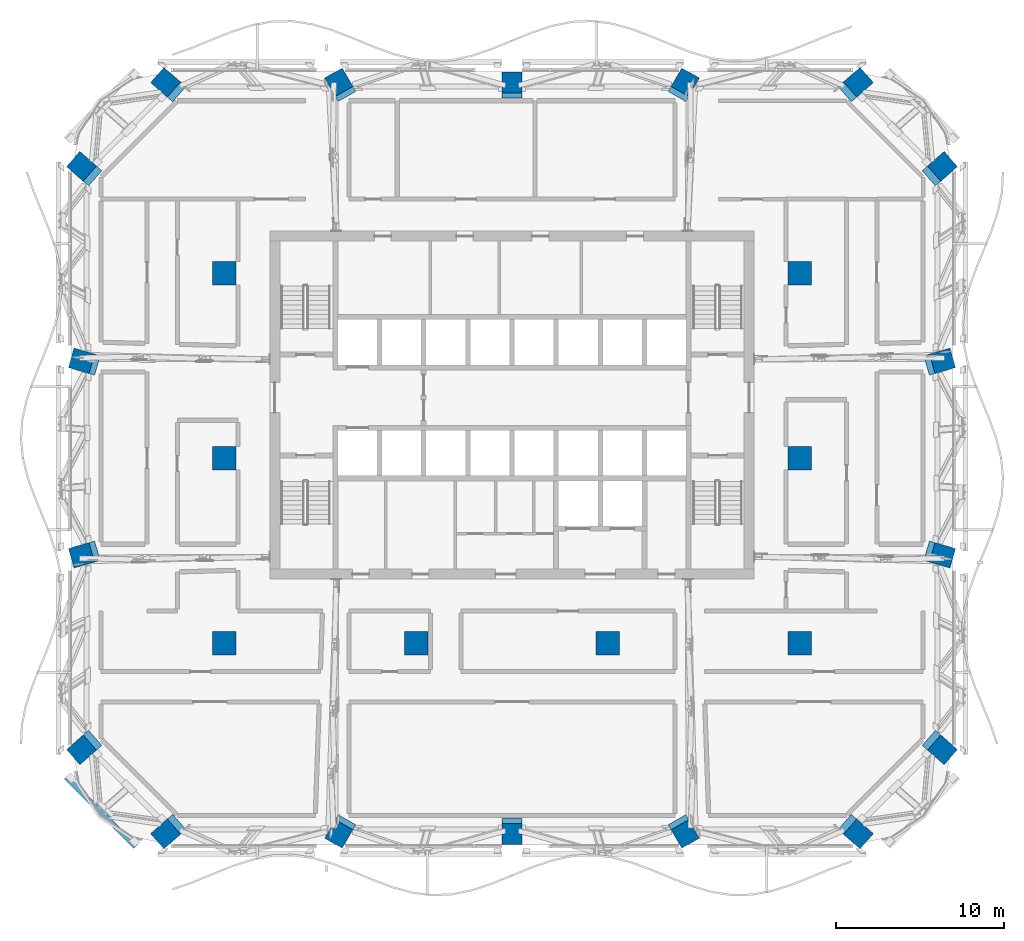
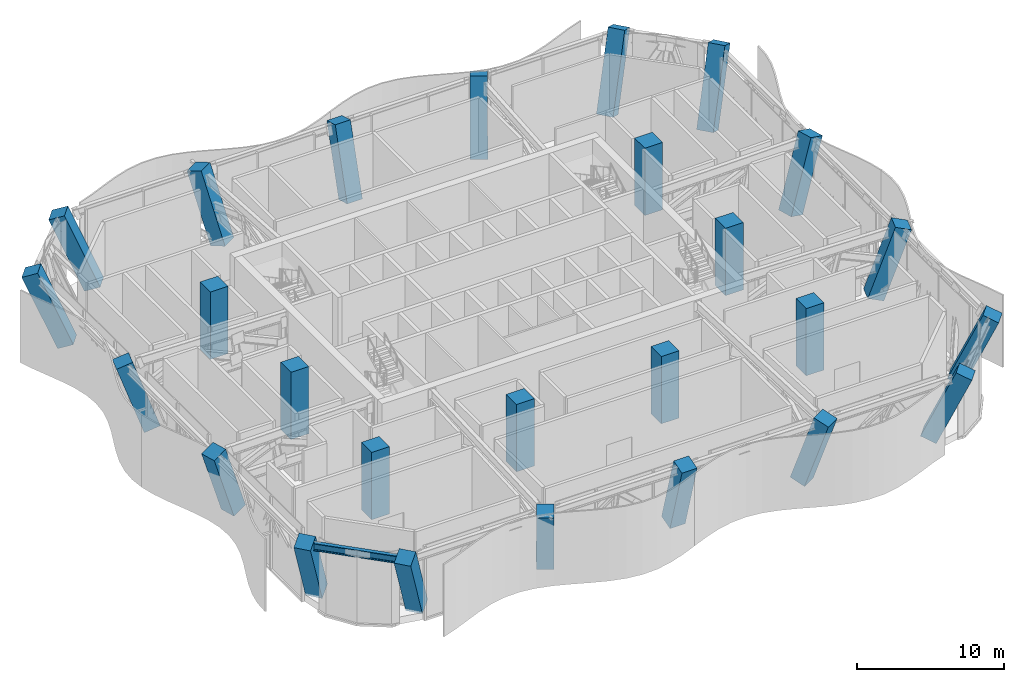
# One storey, part 1 of 26: 26 columns, 1 member.
"""IFC4 building model written with IfcOpenShell, lengths in metres."""

import ifcopenshell
import ifcopenshell.guid

model = None  # the IFC model being written
_history = None  # IfcOwnerHistory: only IFC2X3 demands one
_inside = {}  # id of a spatial element -> (the spatial element, [elements in it])
_under = {}  # id of a project, library or spatial element -> (it, [spatial elements below it])
_declared = {}  # id of a project -> (the project, [libraries it declares])
_typed = {}  # id of a type object -> (the type object, [elements of that type])
_made_of = {}  # id of a material, layer set ... -> (it, [elements and type objects made of it])


def new_model(schema):
    """Start an empty IFC model of exactly this schema.

    Asked for "IFC4X3", IfcOpenShell would pick the latest addendum, in which some entities
    have other attributes; the version numbers below select the first issue.
    IFC2X3 requires an IfcOwnerHistory on every rooted entity: one is made here for all.
    """
    global model, _history
    if schema == "IFC4X3":
        model = ifcopenshell.file(schema_version=(4, 3, 0, 0))
    else:
        model = ifcopenshell.file(schema=schema)
    _inside.clear()
    _under.clear()
    _declared.clear()
    _typed.clear()
    _made_of.clear()
    _history = None
    if model.schema == "IFC2X3":
        org = make("IfcOrganization", Name="unknown")
        user = make(
            "IfcPersonAndOrganization",
            ThePerson=make("IfcPerson", FamilyName="unknown"),
            TheOrganization=org,
        )
        app = make(
            "IfcApplication",
            ApplicationDeveloper=org,
            Version="unknown",
            ApplicationFullName="unknown",
            ApplicationIdentifier="unknown",
        )
        _history = make(
            "IfcOwnerHistory",
            OwningUser=user,
            OwningApplication=app,
            ChangeAction="ADDED",
            CreationDate=0,
        )
    return model


def make(cls, **values):
    """One entity of the class cls with the attributes given. An attribute that is None is left unset."""
    return model.create_entity(
        cls, **{name: value for name, value in values.items() if value is not None}
    )


def rooted(cls, **values):
    """An entity with a GlobalId (a new one), such as an element, a storey or a relation."""
    return make(cls, GlobalId=ifcopenshell.guid.new(), OwnerHistory=_history, **values)


def si_unit(unit_type, name, prefix=None):
    """IfcSIUnit, for example si_unit("LENGTHUNIT", "METRE", prefix="MILLI")."""
    return make("IfcSIUnit", UnitType=unit_type, Prefix=prefix, Name=name)


def assignment(units):
    """IfcUnitAssignment: the units of a project."""
    return None if units is None else make("IfcUnitAssignment", Units=units)


def point(xyz):
    """IfcCartesianPoint."""
    return None if xyz is None else make("IfcCartesianPoint", Coordinates=xyz)


def direction(xyz):
    """IfcDirection."""
    return None if xyz is None else make("IfcDirection", DirectionRatios=xyz)


def frame(location, z_axis=None, x_axis=None):
    """IfcAxis2Placement3D, a coordinate frame: its origin and axes. An axis left out is left unset."""
    return make(
        "IfcAxis2Placement3D",
        Location=point(location),
        Axis=direction(z_axis),
        RefDirection=direction(x_axis),
    )


def frame_2d(location, x_axis=None):
    """IfcAxis2Placement2D, a coordinate frame in the plane: its origin and x axis."""
    return make(
        "IfcAxis2Placement2D", Location=point(location), RefDirection=direction(x_axis)
    )


def origin():
    """The frame at (0, 0, 0) with its axes left unset."""
    return frame((0.0, 0.0, 0.0))


def origin_2d():
    """The frame at (0, 0) in the plane with its x axis left unset."""
    return frame_2d((0.0, 0.0))


def place(relative_to, where):
    """IfcLocalPlacement: puts the frame where relative to a parent placement (None: the world)."""
    return make(
        "IfcLocalPlacement", PlacementRelTo=relative_to, RelativePlacement=where
    )


def context(
    kind, dimensions, precision=None, world=None, true_north=None, identifier=None
):
    """IfcGeometricRepresentationContext, for example the 3D "Model" context."""
    return make(
        "IfcGeometricRepresentationContext",
        ContextIdentifier=identifier,
        ContextType=kind,
        CoordinateSpaceDimension=dimensions,
        Precision=precision,
        WorldCoordinateSystem=world,
        TrueNorth=true_north,
    )


def subcontext(parent, identifier, kind, view, scale=None):
    """IfcGeometricRepresentationSubContext, for example "Body" below "Model"."""
    return make(
        "IfcGeometricRepresentationSubContext",
        ContextIdentifier=identifier,
        ContextType=kind,
        ParentContext=parent,
        TargetScale=scale,
        TargetView=view,
    )


def project(units=None, contexts=None):
    """IfcProject with its units and contexts."""
    return rooted(
        "IfcProject",
        Name="project",
        RepresentationContexts=contexts,
        UnitsInContext=assignment(units),
    )


def spatial(cls, under=None, at=None, **own):
    """A site, building, storey or space (cls), placed at a placement, below another one or the project."""
    s = rooted(cls, ObjectPlacement=at, **own)
    if under is not None:
        _under.setdefault(under.id(), (under, []))[1].append(s)
    return s


def profile(cls, at=None, kind="AREA", **sizes):
    """A parametric profile (cls). Its sizes go by their IFC names, for example OverallWidth=200.0."""
    return make(cls, ProfileType=kind, Position=at, **sizes)


def rectangle(**sizes):
    """IfcRectangleProfileDef."""
    return profile("IfcRectangleProfileDef", **sizes)


def i_section(**sizes):
    """IfcIShapeProfileDef."""
    return profile("IfcIShapeProfileDef", **sizes)


def extrude(swept, where, along, depth):
    """IfcExtrudedAreaSolid: the profile swept, set in the frame where, extruded along a direction by depth."""
    return make(
        "IfcExtrudedAreaSolid",
        SweptArea=swept,
        Position=where,
        ExtrudedDirection=direction(along),
        Depth=depth,
    )


def shape(context_of_items, identifier, shape_type, items):
    """IfcShapeRepresentation: the items that make up one representation, for example the "Body"."""
    return make(
        "IfcShapeRepresentation",
        ContextOfItems=context_of_items,
        RepresentationIdentifier=identifier,
        RepresentationType=shape_type,
        Items=items,
    )


def material(Name=None, Category=None):
    """IfcMaterial."""
    return make("IfcMaterial", Name=Name, Category=Category)


def material_profile(
    of_material, cross_section, Name=None, Category=None, Priority=None
):
    """IfcMaterialProfile: a cross section and its material."""
    return make(
        "IfcMaterialProfile",
        Name=Name,
        Material=of_material,
        Profile=cross_section,
        Priority=Priority,
        Category=Category,
    )


def profile_set(profiles, Name=None, composite=None):
    """IfcMaterialProfileSet."""
    return make(
        "IfcMaterialProfileSet",
        Name=Name,
        MaterialProfiles=profiles,
        CompositeProfile=composite,
    )


def made_of(thing, what):
    """Note that an element or type object is made of a material, layer set ...; save() writes the relation."""
    if what is not None:
        _made_of.setdefault(what.id(), (what, []))[1].append(thing)
    return thing


def type_object(cls, material=None, **own):
    """A type object (cls), such as IfcWallType, which elements share."""
    return made_of(rooted(cls, **own), material)


def element(
    cls,
    number,
    at=None,
    inside=None,
    cuts=None,
    type_object=None,
    material=None,
    context=None,
    identifier="Body",
    shape_type=None,
    held_by="IfcProductDefinitionShape",
    body=None,
    shapes=None,
    **own,
):
    """One element of the class cls, such as IfcWall. Its Tag is "e" and its number.

    at: its placement. inside: the storey or other place that contains it. cuts: it is an
    opening in that element (IfcRelVoidsElement). A single representation is given by context,
    identifier, shape_type and body (its items); several are given by shapes. held_by: the class
    of the entity that holds the representations. save() writes the other relations.
    """
    e = rooted(cls, Tag="e%d" % number, ObjectPlacement=at, **own)
    if body is not None:
        shapes = [shape(context, identifier, shape_type, body)]
    if shapes is not None:
        e.Representation = make(held_by, Representations=shapes)
    if inside is not None:
        _inside.setdefault(inside.id(), (inside, []))[1].append(e)
    if cuts is not None:
        rooted(
            "IfcRelVoidsElement", RelatingBuildingElement=cuts, RelatedOpeningElement=e
        )
    if type_object is not None:
        _typed.setdefault(type_object.id(), (type_object, []))[1].append(e)
    return made_of(e, material)


def aggregate(whole, parts):
    """IfcRelAggregates: a whole, such as a stair, and the parts it consists of."""
    return rooted("IfcRelAggregates", RelatingObject=whole, RelatedObjects=parts)


def save(model, path):
    """Write the relations noted so far, then the file.

    IfcRelAggregates (storeys below a building ...), IfcRelContainedInSpatialStructure (elements
    in a storey), IfcRelDefinesByType, IfcRelAssociatesMaterial and IfcRelDeclares: one each for
    every whole, place, type object, material and project.
    """
    for whole, parts in _under.values():
        aggregate(whole, parts)
    for where, things in _inside.values():
        rooted(
            "IfcRelContainedInSpatialStructure",
            RelatedElements=things,
            RelatingStructure=where,
        )
    for kind, things in _typed.values():
        rooted("IfcRelDefinesByType", RelatedObjects=things, RelatingType=kind)
    for what, things in _made_of.values():
        rooted("IfcRelAssociatesMaterial", RelatedObjects=things, RelatingMaterial=what)
    for by, libraries in _declared.values():
        rooted("IfcRelDeclares", RelatingContext=by, RelatedDefinitions=libraries)
    model.write(path)


model = new_model("IFC4")

# Units and contexts
model_context = context("Model", 3, precision=1e-05, world=origin(), true_north=direction((0.0, 1.0)))
body_context = subcontext(model_context, "Body", "Model", "MODEL_VIEW")
ifc_project = project(units=[si_unit("LENGTHUNIT", "METRE"), si_unit("AREAUNIT", "SQUARE_METRE"), si_unit("VOLUMEUNIT", "CUBIC_METRE"), si_unit("PLANEANGLEUNIT", "RADIAN"), si_unit("MASSUNIT", "GRAM", prefix="KILO")], contexts=[model_context])

# Site, building, storey
site_placement = place(None, origin())
site = spatial("IfcSite", under=ifc_project, at=site_placement, CompositionType="ELEMENT")
building_placement = place(site_placement, origin())
building = spatial("IfcBuilding", under=site, at=building_placement, Name="Mopane Tessera Tower", CompositionType="ELEMENT")
storey_placement = place(building_placement, frame((0.0, 0.0, 205.0)))
storey = spatial("IfcBuildingStorey", under=building, at=storey_placement, Name="L43", CompositionType="ELEMENT", Elevation=205.0)

# Columns
ifc_material_1 = material(Name="Concrete C50/60", Category="concrete")
ifc_material_profile_1 = material_profile(ifc_material_1, rectangle(XDim=1.39990234375, YDim=1.39990234375, at=origin_2d()))
ifc_profile_set_1 = profile_set([ifc_material_profile_1], Name="Concrete C50/60")
column_type_1 = type_object("IfcColumnType", Name="Interior column 1400 x 1400 C50/60", PredefinedType="COLUMN", material=ifc_profile_set_1)
for number, where, z_axis, x_axis, name in (
    (1, (-17.10009765625, -11.0, 0.0), (0.0, 0.0, 1.0), (1.0, 0.0, 0.0), "Interior column I1A L43"),
    (2, (-17.10009765625, 0.0, 0.0), (0.0, 0.0, 1.0), (1.0, 0.0, 0.0), "Interior column I1B L43"),
    (3, (-17.10009765625, 11.0, 0.0), (0.0, 0.0, 1.0), (1.0, 0.0, 0.0), "Interior column I1C L43"),
    (4, (-5.699951171875, -11.0, 0.0), (0.0, 0.0, 1.0), (1.0, 0.0, 0.0), "Interior column I2A L43"),
    (5, (5.699951171875, -11.0, 0.0), (0.0, 0.0, 1.0), (1.0, 0.0, 0.0), "Interior column I3A L43"),
    (6, (17.10009765625, -11.0, 0.0), (0.0, 0.0, 1.0), (1.0, 0.0, 0.0), "Interior column I4A L43"),
    (7, (17.10009765625, 0.0, 0.0), (0.0, 0.0, 1.0), (1.0, 0.0, 0.0), "Interior column I4B L43"),
    (8, (17.10009765625, 11.0, 0.0), (0.0, 0.0, 1.0), (1.0, 0.0, 0.0), "Interior column I4C L43"),
):
    element("IfcColumn", number, at=place(storey_placement, frame(where, z_axis=z_axis, x_axis=x_axis)), inside=storey, type_object=column_type_1, Name=name, PredefinedType="COLUMN", context=body_context, shape_type="SweptSolid", body=[
        extrude(rectangle(XDim=1.39990234375, YDim=1.39990234375, at=origin_2d()), origin(), (0.0, 0.0, 1.0), 5.60009765625),
    ])
ifc_material_2 = material(Name="Concrete C50/60", Category="concrete")
ifc_material_profile_2 = material_profile(ifc_material_2, rectangle(XDim=1.199951171875, YDim=1.199951171875, at=origin_2d()))
ifc_profile_set_2 = profile_set([ifc_material_profile_2], Name="Concrete C50/60")
column_type_2 = type_object("IfcColumnType", Name="Ring column 1200 x 1200 C50/60", PredefinedType="COLUMN", material=ifc_profile_set_2)
column_1_placement = place(storey_placement, frame((-20.199951171875, -22.0, 0.0), z_axis=(-0.304776537036, -0.266669504678, 0.914329611107), x_axis=(0.658490670892, -0.752588889333, 0.0)))
element("IfcColumn", 9, at=column_1_placement, inside=storey, type_object=column_type_2, Name="Ring column S0 L43", PredefinedType="COLUMN", context=body_context, shape_type="SweptSolid", body=[
    extrude(rectangle(XDim=1.199951171875, YDim=1.199951171875, at=origin_2d()), origin(), (0.0, 0.0, 1.0), 6.124755859375),
])
column_2_placement = place(storey_placement, frame((-10.10009765625, -22.0, 0.0), z_axis=(-0.157990952402, -0.276473835095, 0.947945714409), x_axis=(0.868235155486, -0.496152914712, 0.0)))
element("IfcColumn", 10, at=column_2_placement, inside=storey, type_object=column_type_2, Name="Ring column S1 L43", PredefinedType="COLUMN", context=body_context, shape_type="SweptSolid", body=[
    extrude(rectangle(XDim=1.199951171875, YDim=1.199951171875, at=origin_2d()), origin(), (0.0, 0.0, 1.0), 5.90771484375),
])
column_3_placement = place(storey_placement, frame((0.0, -22.0, 0.0), z_axis=(0.0, -0.279990357269, 0.960002812411), x_axis=(1.0, 0.0, 0.0)))
element("IfcColumn", 11, at=column_3_placement, inside=storey, type_object=column_type_2, Name="Ring column S2 L43", PredefinedType="COLUMN", context=body_context, shape_type="SweptSolid", body=[
    extrude(rectangle(XDim=1.199951171875, YDim=1.199951171875, at=origin_2d()), origin(), (0.0, 0.0, 1.0), 5.83349609375),
])
column_4_placement = place(storey_placement, frame((10.10009765625, -22.0, 0.0), z_axis=(0.157990952402, -0.276473835095, 0.947945714409), x_axis=(0.868235155486, 0.496152914712, 0.0)))
element("IfcColumn", 12, at=column_4_placement, inside=storey, type_object=column_type_2, Name="Ring column S3 L43", PredefinedType="COLUMN", context=body_context, shape_type="SweptSolid", body=[
    extrude(rectangle(XDim=1.199951171875, YDim=1.199951171875, at=origin_2d()), origin(), (0.0, 0.0, 1.0), 5.90771484375),
])
for number, where, z_axis, x_axis, name in (
    (13, (20.199951171875, -22.0, 0.0), (0.304776537036, -0.266669504678, 0.914329611107), (0.658490670892, 0.752588889333, 0.0), "Ring column S4 L43"),
    (14, (25.199951171875, -17.0, 0.0), (0.304776537036, -0.266669504678, 0.914329611107), (0.658490670892, 0.752588889333, 0.0), "Ring column E0 L43"),
):
    element("IfcColumn", number, at=place(storey_placement, frame(where, z_axis=z_axis, x_axis=x_axis)), inside=storey, type_object=column_type_2, Name=name, PredefinedType="COLUMN", context=body_context, shape_type="SweptSolid", body=[
        extrude(rectangle(XDim=1.199951171875, YDim=1.199951171875, at=origin_2d()), origin(), (0.0, 0.0, 1.0), 6.124755859375),
    ])
for number, where, z_axis, x_axis, name in (
    (15, (25.199951171875, -5.666748046875, 0.0), (0.314891320665, -0.091839869877, 0.944673961995), (0.279990357269, 0.960002812411, 0.0), "Ring column E1 L43"),
    (16, (25.199951171875, 5.666748046875, 0.0), (0.314891320665, 0.091839869877, 0.944673961995), (-0.279990357269, 0.960002812411, 0.0), "Ring column E2 L43"),
):
    element("IfcColumn", number, at=place(storey_placement, frame(where, z_axis=z_axis, x_axis=x_axis)), inside=storey, type_object=column_type_2, Name=name, PredefinedType="COLUMN", context=body_context, shape_type="SweptSolid", body=[
        extrude(rectangle(XDim=1.199951171875, YDim=1.199951171875, at=origin_2d()), origin(), (0.0, 0.0, 1.0), 5.927978515625),
    ])
for number, where, z_axis, x_axis, name in (
    (17, (25.199951171875, 17.0, 0.0), (0.304776537036, 0.266669504678, 0.914329611107), (-0.658490670892, 0.752588889333, 0.0), "Ring column E3 L43"),
    (18, (20.199951171875, 22.0, 0.0), (0.304776537036, 0.266669504678, 0.914329611107), (-0.658490670892, 0.752588889333, 0.0), "Ring column N0 L43"),
):
    element("IfcColumn", number, at=place(storey_placement, frame(where, z_axis=z_axis, x_axis=x_axis)), inside=storey, type_object=column_type_2, Name=name, PredefinedType="COLUMN", context=body_context, shape_type="SweptSolid", body=[
        extrude(rectangle(XDim=1.199951171875, YDim=1.199951171875, at=origin_2d()), origin(), (0.0, 0.0, 1.0), 6.124755859375),
    ])
column_5_placement = place(storey_placement, frame((10.10009765625, 22.0, 0.0), z_axis=(0.157990952402, 0.276473835095, 0.947945714409), x_axis=(-0.868235155486, 0.496152914712, 0.0)))
element("IfcColumn", 19, at=column_5_placement, inside=storey, type_object=column_type_2, Name="Ring column N1 L43", PredefinedType="COLUMN", context=body_context, shape_type="SweptSolid", body=[
    extrude(rectangle(XDim=1.199951171875, YDim=1.199951171875, at=origin_2d()), origin(), (0.0, 0.0, 1.0), 5.90771484375),
])
column_6_placement = place(storey_placement, frame((0.0, 22.0, 0.0), z_axis=(0.0, 0.279990357269, 0.960002812411), x_axis=(-1.0, 0.0, 0.0)))
element("IfcColumn", 20, at=column_6_placement, inside=storey, type_object=column_type_2, Name="Ring column N2 L43", PredefinedType="COLUMN", context=body_context, shape_type="SweptSolid", body=[
    extrude(rectangle(XDim=1.199951171875, YDim=1.199951171875, at=origin_2d()), origin(), (0.0, 0.0, 1.0), 5.83349609375),
])
column_7_placement = place(storey_placement, frame((-10.10009765625, 22.0, 0.0), z_axis=(-0.157990952402, 0.276473835095, 0.947945714409), x_axis=(-0.868235155486, -0.496152914712, 0.0)))
element("IfcColumn", 21, at=column_7_placement, inside=storey, type_object=column_type_2, Name="Ring column N3 L43", PredefinedType="COLUMN", context=body_context, shape_type="SweptSolid", body=[
    extrude(rectangle(XDim=1.199951171875, YDim=1.199951171875, at=origin_2d()), origin(), (0.0, 0.0, 1.0), 5.90771484375),
])
for number, where, z_axis, x_axis, name in (
    (22, (-20.199951171875, 22.0, 0.0), (-0.304776537036, 0.266669504678, 0.914329611107), (-0.658490670892, -0.752588889333, 0.0), "Ring column N4 L43"),
    (23, (-25.199951171875, 17.0, 0.0), (-0.304776537036, 0.266669504678, 0.914329611107), (-0.658490670892, -0.752588889333, 0.0), "Ring column W0 L43"),
):
    element("IfcColumn", number, at=place(storey_placement, frame(where, z_axis=z_axis, x_axis=x_axis)), inside=storey, type_object=column_type_2, Name=name, PredefinedType="COLUMN", context=body_context, shape_type="SweptSolid", body=[
        extrude(rectangle(XDim=1.199951171875, YDim=1.199951171875, at=origin_2d()), origin(), (0.0, 0.0, 1.0), 6.124755859375),
    ])
for number, where, z_axis, x_axis, name in (
    (24, (-25.199951171875, 5.666748046875, 0.0), (-0.314891320665, 0.091839869877, 0.944673961995), (-0.279990357269, -0.960002812411, 0.0), "Ring column W1 L43"),
    (25, (-25.199951171875, -5.666748046875, 0.0), (-0.314891320665, -0.091839869877, 0.944673961995), (0.279990357269, -0.960002812411, 0.0), "Ring column W2 L43"),
):
    element("IfcColumn", number, at=place(storey_placement, frame(where, z_axis=z_axis, x_axis=x_axis)), inside=storey, type_object=column_type_2, Name=name, PredefinedType="COLUMN", context=body_context, shape_type="SweptSolid", body=[
        extrude(rectangle(XDim=1.199951171875, YDim=1.199951171875, at=origin_2d()), origin(), (0.0, 0.0, 1.0), 5.927978515625),
    ])
column_8_placement = place(storey_placement, frame((-25.199951171875, -17.0, 0.0), z_axis=(-0.304776537036, -0.266669504678, 0.914329611107), x_axis=(0.658490670892, -0.752588889333, 0.0)))
element("IfcColumn", 26, at=column_8_placement, inside=storey, type_object=column_type_2, Name="Ring column W3 L43", PredefinedType="COLUMN", context=body_context, shape_type="SweptSolid", body=[
    extrude(rectangle(XDim=1.199951171875, YDim=1.199951171875, at=origin_2d()), origin(), (0.0, 0.0, 1.0), 6.124755859375),
])

# Member
ifc_material_3 = material(Name="Structural steel S460", Category="steel")
ifc_material_profile_3 = material_profile(ifc_material_3, i_section(OverallWidth=0.304931640625, OverallDepth=0.6201171875, WebThickness=0.02099609375, FlangeThickness=0.0400390625, FilletRadius=0.027099609375, at=origin_2d()))
ifc_profile_set_3 = profile_set([ifc_material_profile_3], Name="Structural steel S460")
member_type = type_object("IfcMemberType", Name="Belt truss chord HE 600 M", PredefinedType="CHORD", material=ifc_profile_set_3)
member_placement = place(storey_placement, frame((-26.53125, -18.974853515625, 5.2900390625), z_axis=(0.707106781187, -0.707106781187, 0.0), x_axis=(0.707106781187, 0.707106781187, 0.0)))
element("IfcMember", 27, at=member_placement, inside=storey, type_object=member_type, Name="Belt truss top chord L43 W3-S0", PredefinedType="CHORD", context=body_context, shape_type="SweptSolid", body=[
    extrude(i_section(OverallWidth=0.304931640625, OverallDepth=0.6201171875, WebThickness=0.02099609375, FlangeThickness=0.0400390625, FilletRadius=0.027099609375, at=origin_2d()), origin(), (0.0, 0.0, 1.0), 5.84912109375),
])

save(model, "model.ifc")
